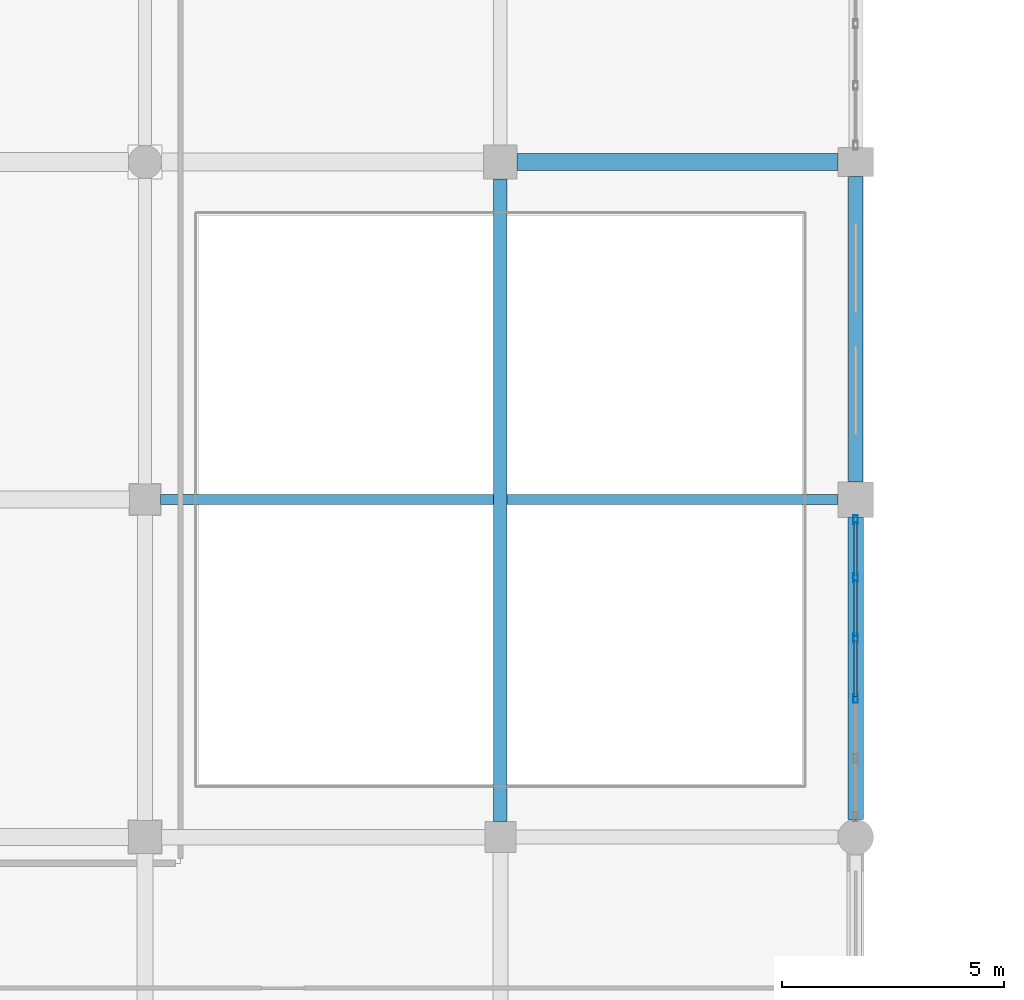
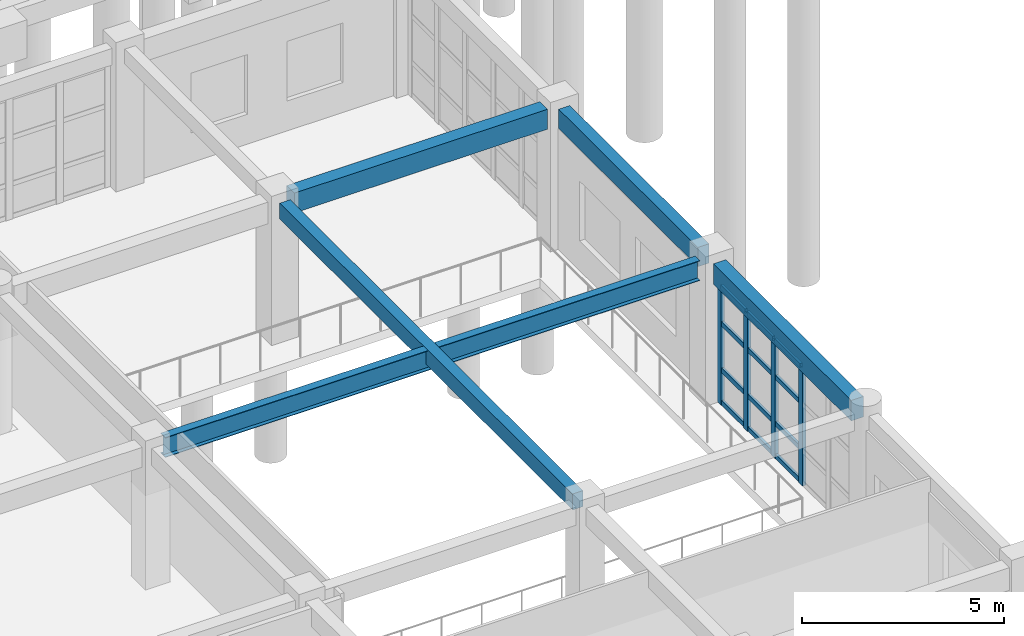
# One storey, part 81 of 166: 16 members, 5 beams, 1 element without a shape of its own.
"""IFC4 building model written with IfcOpenShell, lengths in metres."""

from ifc_helpers import new_model, si_unit, direction, frame, origin, origin_2d, place, context, subcontext, project, spatial, rectangle, hollow_rectangle, i_section, extrude, material, material_profile, profile_set, type_object, element, aggregate, save


model = new_model("IFC4")

# Units and contexts
model_context = context("Model", 3, precision=1e-05, world=origin(), true_north=direction((0.0, 1.0)))
body_context = subcontext(model_context, "Body", "Model", "MODEL_VIEW")
ifc_project = project(units=[si_unit("LENGTHUNIT", "METRE"), si_unit("AREAUNIT", "SQUARE_METRE"), si_unit("VOLUMEUNIT", "CUBIC_METRE"), si_unit("PLANEANGLEUNIT", "RADIAN"), si_unit("MASSUNIT", "GRAM", prefix="KILO")], contexts=[model_context])

# Site, building, storey
site_placement = place(None, origin())
site = spatial("IfcSite", under=ifc_project, at=site_placement, CompositionType="ELEMENT")
building_placement = place(site_placement, origin())
building = spatial("IfcBuilding", under=site, at=building_placement, Name="Kharva Crest Polytechnic", CompositionType="ELEMENT")
storey_placement = place(building_placement, origin())
storey = spatial("IfcBuildingStorey", under=building, at=storey_placement, Name="L00", CompositionType="ELEMENT", Elevation=0.0)

# Beams
ifc_material_1 = material(Name="Concrete C35/45", Category="concrete")
ifc_material_profile_1 = material_profile(ifc_material_1, rectangle(XDim=0.300048828125, YDim=0.47998046875, at=origin_2d()), Name="RECT 300 X 480")
ifc_profile_set_1 = profile_set([ifc_material_profile_1], Name="Concrete C35/45")
beam_type_1 = type_object("IfcBeamType", Name="BM-RC-300X480", PredefinedType="BEAM", material=ifc_profile_set_1)
beam_1_placement = place(storey_placement, frame((160.800048828125, 7.949951171875, 3.97998046875), z_axis=(0.0, 1.0, 0.0), x_axis=(-1.0, 0.0, 0.0)))
element("IfcBeam", 1, at=beam_1_placement, inside=storey, type_object=beam_type_1, Name="L00 Girder 21/B-D", PredefinedType="BEAM", context=body_context, shape_type="SweptSolid", body=[
    extrude(rectangle(XDim=0.300048828125, YDim=0.47998046875, at=origin_2d()), origin(), (0.0, 0.0, 1.0), 14.469970703125),
])
ifc_material_profile_2 = material_profile(ifc_material_1, rectangle(XDim=0.3798828125, YDim=0.60009765625, at=origin_2d()), Name="RECT 380 X 600")
ifc_profile_set_2 = profile_set([ifc_material_profile_2], Name="Concrete C35/45")
beam_type_2 = type_object("IfcBeamType", Name="BM-RC-380X600", PredefinedType="BEAM", material=ifc_profile_set_2)
beam_2_placement = place(storey_placement, frame((161.179931640625, 22.800048828125, 3.919921875), z_axis=(1.0, 0.0, 0.0), x_axis=(0.0, 1.0, 0.0)))
element("IfcBeam", 2, at=beam_2_placement, inside=storey, type_object=beam_type_2, Name="L00 Beam D/21-22", PredefinedType="BEAM", context=body_context, shape_type="SweptSolid", body=[
    extrude(rectangle(XDim=0.3798828125, YDim=0.60009765625, at=origin_2d()), origin(), (0.0, 0.0, 1.0), 7.219970703125),
])
ifc_material_2 = material(Name="Steel S355", Category="steel")
ifc_material_profile_3 = material_profile(ifc_material_2, i_section(OverallWidth=0.22802734375, OverallDepth=0.60302734375, WebThickness=0.010498046875, FlangeThickness=0.014892578125, at=origin_2d()), Name="W610X101")
ifc_profile_set_3 = profile_set([ifc_material_profile_3], Name="Steel S355")
beam_type_3 = type_object("IfcBeamType", Name="BM-STL-W610X101", PredefinedType="BEAM", material=ifc_profile_set_3)
beam_3_placement = place(storey_placement, frame((153.14990234375, 15.199951171875, 3.91845703125), z_axis=(1.0, 0.0, 0.0), x_axis=(0.0, 1.0, 0.0)))
element("IfcBeam", 3, at=beam_3_placement, inside=storey, type_object=beam_type_3, Name="L00 Beam C/20-22", PredefinedType="BEAM", context=body_context, shape_type="SweptSolid", body=[
    extrude(i_section(OverallWidth=0.22802734375, OverallDepth=0.60302734375, WebThickness=0.010498046875, FlangeThickness=0.014892578125, at=origin_2d()), origin(), (0.0, 0.0, 1.0), 15.25),
])

# Curtain wall, members
ifc_material_3 = material(Name="Tempered insulated glass", Category="glass")
curtain_wall_type = type_object("IfcCurtainWallType", Name="CW-SYS-REFECTORY", PredefinedType="USERDEFINED", material=ifc_material_3)
curtain_wall_placement = place(storey_placement, origin())
curtain_wall = element("IfcCurtainWall", 4, at=curtain_wall_placement, inside=storey, type_object=curtain_wall_type, Name="L00 Glazed Curtain Wall CW-010", ObjectType="CURTAIN WALL", PredefinedType="USERDEFINED")
ifc_material_profile_4 = material_profile(ifc_material_2, hollow_rectangle(XDim=0.10009765625, YDim=0.199951171875, WallThickness=0.00634765625, at=origin_2d()), Name="RHS 200X100X6.3")
ifc_profile_set_4 = profile_set([ifc_material_profile_4], Name="Steel S355")
member_type_1 = type_object("IfcMemberType", Name="CWM-RHS200X100", PredefinedType="MULLION", material=ifc_profile_set_4)
member_1_placement = place(storey_placement, frame((168.800048828125, 10.720947265625, 0.0), z_axis=(0.0, 0.0, 1.0), x_axis=(-1.0, 0.0, 0.0)))
member_1 = element("IfcMember", 5, at=member_1_placement, type_object=member_type_1, Name="CW-010 mullion 3", PredefinedType="MULLION", context=body_context, shape_type="SweptSolid", body=[
    extrude(hollow_rectangle(XDim=0.10009765625, YDim=0.199951171875, WallThickness=0.00634765625, at=origin_2d()), origin(), (0.0, 0.0, 1.0), 3.60009765625),
])
member_2_placement = place(storey_placement, frame((168.800048828125, 12.0791015625, 0.0), z_axis=(0.0, 0.0, 1.0), x_axis=(-1.0, 0.0, 0.0)))
member_2 = element("IfcMember", 6, at=member_2_placement, type_object=member_type_1, Name="CW-010 mullion 4", PredefinedType="MULLION", context=body_context, shape_type="SweptSolid", body=[
    extrude(hollow_rectangle(XDim=0.10009765625, YDim=0.199951171875, WallThickness=0.00634765625, at=origin_2d()), origin(), (0.0, 0.0, 1.0), 3.60009765625),
])
member_3_placement = place(storey_placement, frame((168.800048828125, 13.43701171875, 0.0), z_axis=(0.0, 0.0, 1.0), x_axis=(-1.0, 0.0, 0.0)))
member_3 = element("IfcMember", 7, at=member_3_placement, type_object=member_type_1, Name="CW-010 mullion 5", PredefinedType="MULLION", context=body_context, shape_type="SweptSolid", body=[
    extrude(hollow_rectangle(XDim=0.10009765625, YDim=0.199951171875, WallThickness=0.00634765625, at=origin_2d()), origin(), (0.0, 0.0, 1.0), 3.60009765625),
])
member_4_placement = place(storey_placement, frame((168.800048828125, 14.7451171875, 0.0), z_axis=(0.0, 0.0, 1.0), x_axis=(-1.0, 0.0, 0.0)))
member_4 = element("IfcMember", 8, at=member_4_placement, type_object=member_type_1, Name="CW-010 mullion 6", PredefinedType="MULLION", context=body_context, shape_type="SweptSolid", body=[
    extrude(hollow_rectangle(XDim=0.10009765625, YDim=0.199951171875, WallThickness=0.00634765625, at=origin_2d()), origin(), (0.0, 0.0, 1.0), 3.60009765625),
])
ifc_material_profile_5 = material_profile(ifc_material_2, hollow_rectangle(XDim=0.070068359375, YDim=0.139892578125, WallThickness=0.00390625, at=origin_2d()), Name="RHS 140X70X4.0")
ifc_profile_set_5 = profile_set([ifc_material_profile_5], Name="Steel S355")
member_type_2 = type_object("IfcMemberType", Name="CWT-RHS140X70", PredefinedType="USERDEFINED", material=ifc_profile_set_5)
member_5_placement = place(storey_placement, frame((168.800048828125, 10.77099609375, 0.070068359375), z_axis=(0.0, 1.0, 0.0), x_axis=(-1.0, 0.0, 0.0)))
member_5 = element("IfcMember", 9, at=member_5_placement, type_object=member_type_2, Name="CW-010 transom 3.1", ObjectType="TRANSOM", PredefinedType="USERDEFINED", context=body_context, shape_type="SweptSolid", body=[
    extrude(hollow_rectangle(XDim=0.070068359375, YDim=0.139892578125, WallThickness=0.00390625, at=origin_2d()), origin(), (0.0, 0.0, 1.0), 1.258056640625),
])
member_6_placement = place(storey_placement, frame((168.800048828125, 10.77099609375, 1.050048828125), z_axis=(0.0, 1.0, 0.0), x_axis=(-1.0, 0.0, 0.0)))
member_6 = element("IfcMember", 10, at=member_6_placement, type_object=member_type_2, Name="CW-010 transom 3.2", ObjectType="TRANSOM", PredefinedType="USERDEFINED", context=body_context, shape_type="SweptSolid", body=[
    extrude(hollow_rectangle(XDim=0.070068359375, YDim=0.139892578125, WallThickness=0.00390625, at=origin_2d()), origin(), (0.0, 0.0, 1.0), 1.258056640625),
])
member_7_placement = place(storey_placement, frame((168.800048828125, 10.77099609375, 2.449951171875), z_axis=(0.0, 1.0, 0.0), x_axis=(-1.0, 0.0, 0.0)))
member_7 = element("IfcMember", 11, at=member_7_placement, type_object=member_type_2, Name="CW-010 transom 3.3", ObjectType="TRANSOM", PredefinedType="USERDEFINED", context=body_context, shape_type="SweptSolid", body=[
    extrude(hollow_rectangle(XDim=0.070068359375, YDim=0.139892578125, WallThickness=0.00390625, at=origin_2d()), origin(), (0.0, 0.0, 1.0), 1.258056640625),
])
member_8_placement = place(storey_placement, frame((168.800048828125, 10.77099609375, 3.530029296875), z_axis=(0.0, 1.0, 0.0), x_axis=(-1.0, 0.0, 0.0)))
member_8 = element("IfcMember", 12, at=member_8_placement, type_object=member_type_2, Name="CW-010 transom 3.4", ObjectType="TRANSOM", PredefinedType="USERDEFINED", context=body_context, shape_type="SweptSolid", body=[
    extrude(hollow_rectangle(XDim=0.070068359375, YDim=0.139892578125, WallThickness=0.00390625, at=origin_2d()), origin(), (0.0, 0.0, 1.0), 1.258056640625),
])
member_9_placement = place(storey_placement, frame((168.800048828125, 12.12890625, 0.070068359375), z_axis=(0.0, 1.0, 0.0), x_axis=(-1.0, 0.0, 0.0)))
member_9 = element("IfcMember", 13, at=member_9_placement, type_object=member_type_2, Name="CW-010 transom 4.1", ObjectType="TRANSOM", PredefinedType="USERDEFINED", context=body_context, shape_type="SweptSolid", body=[
    extrude(hollow_rectangle(XDim=0.070068359375, YDim=0.139892578125, WallThickness=0.00390625, at=origin_2d()), origin(), (0.0, 0.0, 1.0), 1.258056640625),
])
member_10_placement = place(storey_placement, frame((168.800048828125, 12.12890625, 1.050048828125), z_axis=(0.0, 1.0, 0.0), x_axis=(-1.0, 0.0, 0.0)))
member_10 = element("IfcMember", 14, at=member_10_placement, type_object=member_type_2, Name="CW-010 transom 4.2", ObjectType="TRANSOM", PredefinedType="USERDEFINED", context=body_context, shape_type="SweptSolid", body=[
    extrude(hollow_rectangle(XDim=0.070068359375, YDim=0.139892578125, WallThickness=0.00390625, at=origin_2d()), origin(), (0.0, 0.0, 1.0), 1.258056640625),
])
member_11_placement = place(storey_placement, frame((168.800048828125, 12.12890625, 2.449951171875), z_axis=(0.0, 1.0, 0.0), x_axis=(-1.0, 0.0, 0.0)))
member_11 = element("IfcMember", 15, at=member_11_placement, type_object=member_type_2, Name="CW-010 transom 4.3", ObjectType="TRANSOM", PredefinedType="USERDEFINED", context=body_context, shape_type="SweptSolid", body=[
    extrude(hollow_rectangle(XDim=0.070068359375, YDim=0.139892578125, WallThickness=0.00390625, at=origin_2d()), origin(), (0.0, 0.0, 1.0), 1.258056640625),
])
member_12_placement = place(storey_placement, frame((168.800048828125, 12.12890625, 3.530029296875), z_axis=(0.0, 1.0, 0.0), x_axis=(-1.0, 0.0, 0.0)))
member_12 = element("IfcMember", 16, at=member_12_placement, type_object=member_type_2, Name="CW-010 transom 4.4", ObjectType="TRANSOM", PredefinedType="USERDEFINED", context=body_context, shape_type="SweptSolid", body=[
    extrude(hollow_rectangle(XDim=0.070068359375, YDim=0.139892578125, WallThickness=0.00390625, at=origin_2d()), origin(), (0.0, 0.0, 1.0), 1.258056640625),
])
member_13_placement = place(storey_placement, frame((168.800048828125, 13.487060546875, 0.070068359375), z_axis=(0.0, 1.0, 0.0), x_axis=(-1.0, 0.0, 0.0)))
member_13 = element("IfcMember", 17, at=member_13_placement, type_object=member_type_2, Name="CW-010 transom 5.1", ObjectType="TRANSOM", PredefinedType="USERDEFINED", context=body_context, shape_type="SweptSolid", body=[
    extrude(hollow_rectangle(XDim=0.070068359375, YDim=0.139892578125, WallThickness=0.00390625, at=origin_2d()), origin(), (0.0, 0.0, 1.0), 1.2080078125),
])
member_14_placement = place(storey_placement, frame((168.800048828125, 13.487060546875, 1.050048828125), z_axis=(0.0, 1.0, 0.0), x_axis=(-1.0, 0.0, 0.0)))
member_14 = element("IfcMember", 18, at=member_14_placement, type_object=member_type_2, Name="CW-010 transom 5.2", ObjectType="TRANSOM", PredefinedType="USERDEFINED", context=body_context, shape_type="SweptSolid", body=[
    extrude(hollow_rectangle(XDim=0.070068359375, YDim=0.139892578125, WallThickness=0.00390625, at=origin_2d()), origin(), (0.0, 0.0, 1.0), 1.2080078125),
])
member_15_placement = place(storey_placement, frame((168.800048828125, 13.487060546875, 2.449951171875), z_axis=(0.0, 1.0, 0.0), x_axis=(-1.0, 0.0, 0.0)))
member_15 = element("IfcMember", 19, at=member_15_placement, type_object=member_type_2, Name="CW-010 transom 5.3", ObjectType="TRANSOM", PredefinedType="USERDEFINED", context=body_context, shape_type="SweptSolid", body=[
    extrude(hollow_rectangle(XDim=0.070068359375, YDim=0.139892578125, WallThickness=0.00390625, at=origin_2d()), origin(), (0.0, 0.0, 1.0), 1.2080078125),
])
member_16_placement = place(storey_placement, frame((168.800048828125, 13.487060546875, 3.530029296875), z_axis=(0.0, 1.0, 0.0), x_axis=(-1.0, 0.0, 0.0)))
member_16 = element("IfcMember", 20, at=member_16_placement, type_object=member_type_2, Name="CW-010 transom 5.4", ObjectType="TRANSOM", PredefinedType="USERDEFINED", context=body_context, shape_type="SweptSolid", body=[
    extrude(hollow_rectangle(XDim=0.070068359375, YDim=0.139892578125, WallThickness=0.00390625, at=origin_2d()), origin(), (0.0, 0.0, 1.0), 1.2080078125),
])
aggregate(curtain_wall, [member_1, member_2, member_3, member_4, member_5, member_6, member_7, member_8, member_9, member_10, member_11, member_12, member_13, member_14, member_15, member_16])

# Beams
ifc_material_profile_6 = material_profile(ifc_material_1, rectangle(XDim=0.320068359375, YDim=0.580078125, at=origin_2d()), Name="RECT 320 X 580")
ifc_profile_set_6 = profile_set([ifc_material_profile_6], Name="Concrete C35/45")
beam_type_4 = type_object("IfcBeamType", Name="SP-RC-320X580", PredefinedType="SPANDREL", material=ifc_profile_set_6)
beam_4_placement = place(storey_placement, frame((168.800048828125, 15.60009765625, 3.929931640625), z_axis=(0.0, 1.0, 0.0), x_axis=(-1.0, 0.0, 0.0)))
element("IfcBeam", 21, at=beam_4_placement, inside=storey, type_object=beam_type_4, Name="L00 Girder 22/C-D", PredefinedType="SPANDREL", context=body_context, shape_type="SweptSolid", body=[
    extrude(rectangle(XDim=0.320068359375, YDim=0.580078125, at=origin_2d()), origin(), (0.0, 0.0, 1.0), 6.875),
])
ifc_material_profile_7 = material_profile(ifc_material_1, rectangle(XDim=0.35009765625, YDim=0.6201171875, at=origin_2d()), Name="RECT 350 X 620")
ifc_profile_set_7 = profile_set([ifc_material_profile_7], Name="Concrete C35/45")
beam_type_5 = type_object("IfcBeamType", Name="SP-RC-350X620", PredefinedType="SPANDREL", material=ifc_profile_set_7)
beam_5_placement = place(storey_placement, frame((168.800048828125, 8.0, 3.909912109375), z_axis=(0.0, 1.0, 0.0), x_axis=(-1.0, 0.0, 0.0)))
element("IfcBeam", 22, at=beam_5_placement, inside=storey, type_object=beam_type_5, Name="L00 Girder 22/B-C", PredefinedType="SPANDREL", context=body_context, shape_type="SweptSolid", body=[
    extrude(rectangle(XDim=0.35009765625, YDim=0.6201171875, at=origin_2d()), origin(), (0.0, 0.0, 1.0), 6.800048828125),
])

save(model, "model.ifc")
